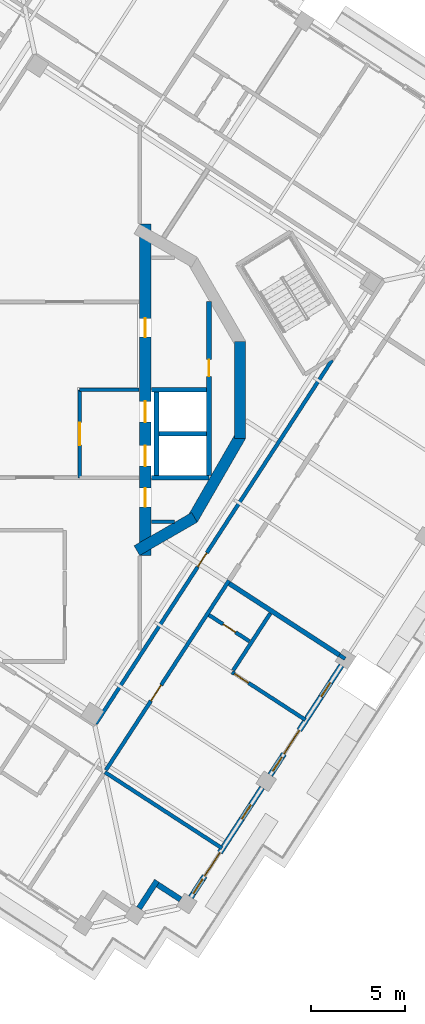
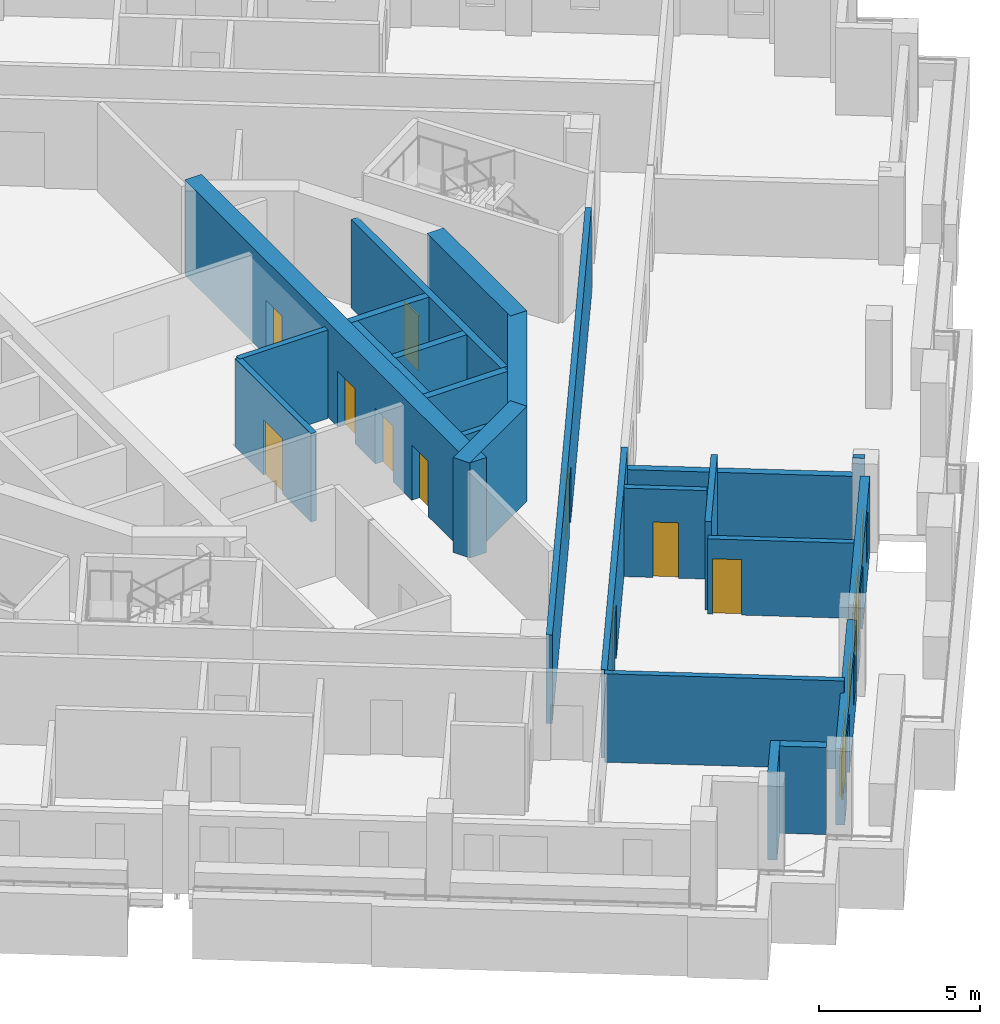
# One storey, part 6 of 15: 24 walls, 12 doors, 4 windows, 16 openings.
"""IFC4 building model written with IfcOpenShell, lengths in metres."""

from ifc_helpers import new_model, si_unit, direction, frame, frame_2d, origin, place, context, subcontext, project, spatial, rectangle, extrude, material, layer, layer_set, type_object, element, fill, save


model = new_model("IFC4")

# Units and contexts
model_context = context("Model", 3, precision=1e-05, world=origin(), true_north=direction((0.0, 1.0)))
body_context = subcontext(model_context, "Body", "Model", "MODEL_VIEW")
ifc_project = project(units=[si_unit("LENGTHUNIT", "METRE"), si_unit("AREAUNIT", "SQUARE_METRE"), si_unit("VOLUMEUNIT", "CUBIC_METRE"), si_unit("PLANEANGLEUNIT", "RADIAN"), si_unit("MASSUNIT", "GRAM", prefix="KILO")], contexts=[model_context])

# Site, building, storey
site_placement = place(None, origin())
site = spatial("IfcSite", under=ifc_project, at=site_placement, CompositionType="ELEMENT")
building_placement = place(site_placement, origin())
building = spatial("IfcBuilding", under=site, at=building_placement, Name="Cantera Rosa Tower", CompositionType="ELEMENT")
storey_placement = place(building_placement, frame((0.0, 0.0, 261.300048828125)))
storey = spatial("IfcBuildingStorey", under=building, at=storey_placement, Name="L58", CompositionType="ELEMENT", Elevation=261.300048828125)

# Wall, opening, door
ifc_material_1 = material(Name="Gypsum board partition")
ifc_layer_1 = layer(ifc_material_1, 0.199951171875)
ifc_layer_set_1 = layer_set([ifc_layer_1], Name="CORRIDOR WALL 200 H3350")
wall_type_1 = type_object("IfcWallType", Name="CORRIDOR WALL 200 H3350", PredefinedType="PARTITIONING", material=ifc_layer_set_1)
wall_1_placement = place(storey_placement, frame((1.656982421875, -17.828857421875, 0.0), z_axis=(0.0, 0.0, 1.0), x_axis=(0.544640309195, 0.838669740482, 0.0)))
wall_1 = element("IfcWall", 1, at=wall_1_placement, inside=storey, type_object=wall_type_1, Name="CORRIDOR WALL L58-064", PredefinedType="PARTITIONING", context=body_context, shape_type="SweptSolid", body=[
    extrude(rectangle(XDim=23.1552734375, YDim=0.199951171875, at=frame_2d((11.57763671875, 0.0))), origin(), (0.0, 0.0, 1.0), 3.349853515625),
])
opening_1_placement = place(wall_1_placement, frame((9.984619140625, 0.0, 0.0)))
opening_1 = element("IfcOpeningElement", 2, at=opening_1_placement, cuts=wall_1, Name="Opening L58-007", PredefinedType="OPENING", context=body_context, shape_type="SweptSolid", body=[
    extrude(rectangle(XDim=0.89990234375, YDim=2.10009765625, at=frame_2d((0.449951171875, 1.050048828125))), frame((0.0, 0.10986328125, 0.0), z_axis=(0.0, -1.0, 0.0), x_axis=(1.0, 0.0, 0.0)), (0.0, 0.0, 1.0), 0.219970703125),
])
ifc_material_2 = material(Name="Timber door leaf", Category="wood")
door_type_1 = type_object("IfcDoorType", Name="SERVICE DOOR 900x2100", OperationType="NOTDEFINED", PredefinedType="DOOR", material=ifc_material_2)
door_1_placement = place(opening_1_placement, origin())
door_1 = element("IfcDoor", 3, at=door_1_placement, inside=storey, type_object=door_type_1, Name="DOOR L58-007", OperationType="NOTDEFINED", OverallHeight=2.10009765625, OverallWidth=0.89990234375, PredefinedType="DOOR", context=body_context, shape_type="SweptSolid", body=[
    extrude(rectangle(XDim=0.89990234375, YDim=2.10009765625, at=frame_2d((0.449951171875, 1.050048828125))), frame((0.0, 0.02490234375, 0.0), z_axis=(0.0, -1.0, 0.0), x_axis=(1.0, 0.0, 0.0)), (0.0, 0.0, 1.0), 0.050048828125),
])
fill(opening_1, door_1)

wall_2_placement = place(storey_placement, frame((2.197265625, -20.302001953125, 0.0), z_axis=(0.0, 0.0, 1.0), x_axis=(0.544634094659, 0.83867377623, 0.0)))
wall_2 = element("IfcWall", 4, at=wall_2_placement, inside=storey, type_object=wall_type_1, Name="CORRIDOR WALL L58-065", PredefinedType="PARTITIONING", context=body_context, shape_type="SweptSolid", body=[
    extrude(rectangle(XDim=12.06494140625, YDim=0.199951171875, at=frame_2d((6.032470703125, 0.0))), origin(), (0.0, 0.0, 1.0), 3.349853515625),
])
opening_2_placement = place(wall_2_placement, frame((4.409912109375, 0.0, 0.0)))
opening_2 = element("IfcOpeningElement", 5, at=opening_2_placement, cuts=wall_2, Name="Opening L58-045", PredefinedType="OPENING", context=body_context, shape_type="SweptSolid", body=[
    extrude(rectangle(XDim=1.0, YDim=2.10009765625, at=frame_2d((0.5, 1.050048828125))), frame((0.0, 0.10986328125, 0.0), z_axis=(0.0, -1.0, 0.0), x_axis=(1.0, 0.0, 0.0)), (0.0, 0.0, 1.0), 0.219970703125),
])
ifc_material_3 = material(Name="Timber door leaf", Category="wood")
door_type_2 = type_object("IfcDoorType", Name="ENTRANCE DOOR 1000x2100", OperationType="NOTDEFINED", PredefinedType="DOOR", material=ifc_material_3)
door_2_placement = place(opening_2_placement, origin())
door_2 = element("IfcDoor", 6, at=door_2_placement, inside=storey, type_object=door_type_2, Name="DOOR L58-045", OperationType="NOTDEFINED", OverallHeight=2.10009765625, OverallWidth=1.0, PredefinedType="DOOR", context=body_context, shape_type="SweptSolid", body=[
    extrude(rectangle(XDim=1.0, YDim=2.10009765625, at=frame_2d((0.5, 1.050048828125))), frame((0.0, 0.02490234375, 0.0), z_axis=(0.0, -1.0, 0.0), x_axis=(1.0, 0.0, 0.0)), (0.0, 0.0, 1.0), 0.050048828125),
])
fill(opening_2, door_2)

# Walls
ifc_material_4 = material(Name="Hollow clay masonry with cantera stone cladding", Category="masonry")
ifc_layer_2 = layer(ifc_material_4, 0.300048828125)
ifc_layer_set_2 = layer_set([ifc_layer_2], Name="EW-LOGGIA 300")
wall_type_2 = type_object("IfcWallType", Name="EW-LOGGIA 300", PredefinedType="SOLIDWALL", material=ifc_layer_set_2)
wall_3_placement = place(storey_placement, frame((3.966796875, -27.67529296875, 0.0), z_axis=(0.0, 0.0, 1.0), x_axis=(0.544679362749, 0.83864437743, 0.0)))
element("IfcWall", 7, at=wall_3_placement, inside=storey, type_object=wall_type_2, Name="EN-L58-W19a", PredefinedType="SOLIDWALL", context=body_context, shape_type="SweptSolid", body=[
    extrude(rectangle(XDim=1.75, YDim=0.300048828125, at=frame_2d((0.875, 0.0))), origin(), (0.0, 0.0, 1.0), 3.300048828125),
])
wall_4_placement = place(storey_placement, frame((4.964111328125, -26.415283203125, 0.0), z_axis=(0.0, 0.0, 1.0), x_axis=(0.838724343483, -0.544556218997, 0.0)))
element("IfcWall", 8, at=wall_4_placement, inside=storey, type_object=wall_type_2, Name="EN-L58-W19b", PredefinedType="SOLIDWALL", context=body_context, shape_type="SweptSolid", body=[
    extrude(rectangle(XDim=1.449951171875, YDim=0.300048828125, at=frame_2d((0.72509765625, 0.0))), origin(), (0.0, 0.0, 1.0), 3.300048828125),
])

# Wall, openings, windows, door
ifc_material_5 = material(Name="Hollow clay masonry with cantera stone cladding", Category="masonry")
ifc_layer_3 = layer(ifc_material_5, 0.300048828125)
ifc_layer_set_3 = layer_set([ifc_layer_3], Name="EW-LOGGIA 300 H2890")
wall_type_3 = type_object("IfcWallType", Name="EW-LOGGIA 300 H2890", PredefinedType="SOLIDWALL", material=ifc_layer_set_3)
wall_5_placement = place(storey_placement, frame((6.7333984375, -27.08740234375, 0.0), z_axis=(0.0, 0.0, 1.0), x_axis=(0.544651451949, 0.838662504164, 0.0)))
wall_5 = element("IfcWall", 9, at=wall_5_placement, inside=storey, type_object=wall_type_3, Name="EN-L58-W20", PredefinedType="SOLIDWALL", context=body_context, shape_type="SweptSolid", body=[
    extrude(rectangle(XDim=6.980224609375, YDim=0.300048828125, at=frame_2d((3.490234375, 0.0))), origin(), (0.0, 0.0, 1.0), 2.889892578125),
])
opening_3_placement = place(wall_5_placement, frame((0.2451171875, 0.0, 0.89990234375)))
opening_3 = element("IfcOpeningElement", 10, at=opening_3_placement, cuts=wall_5, Name="Opening L58-W40", PredefinedType="OPENING", context=body_context, shape_type="SweptSolid", body=[
    extrude(rectangle(XDim=0.89990234375, YDim=1.5, at=frame_2d((0.449951171875, 0.75))), frame((0.0, 0.159912109375, 0.0), z_axis=(0.0, -1.0, 0.0), x_axis=(1.0, 0.0, 0.0)), (0.0, 0.0, 1.0), 0.320068359375),
])
opening_4_placement = place(wall_5_placement, frame((1.344970703125, 0.0, 0.0)))
opening_4 = element("IfcOpeningElement", 11, at=opening_4_placement, cuts=wall_5, Name="Opening L58-TD41", PredefinedType="OPENING", context=body_context, shape_type="SweptSolid", body=[
    extrude(rectangle(XDim=1.5, YDim=2.39990234375, at=frame_2d((0.75, 1.199951171875))), frame((0.0, 0.159912109375, 0.0), z_axis=(0.0, -1.0, 0.0), x_axis=(1.0, 0.0, 0.0)), (0.0, 0.0, 1.0), 0.320068359375),
])
opening_5_placement = place(wall_5_placement, frame((4.985107421875, 0.0, 0.89990234375)))
opening_5 = element("IfcOpeningElement", 12, at=opening_5_placement, cuts=wall_5, Name="Opening L58-W42", PredefinedType="OPENING", context=body_context, shape_type="SweptSolid", body=[
    extrude(rectangle(XDim=0.89990234375, YDim=1.5, at=frame_2d((0.449951171875, 0.75))), frame((0.0, 0.159912109375, 0.0), z_axis=(0.0, -1.0, 0.0), x_axis=(1.0, 0.0, 0.0)), (0.0, 0.0, 1.0), 0.320068359375),
])
ifc_material_6 = material(Name="Aluminium frame with clear glass", Category="aluminium")
window_type = type_object("IfcWindowType", Name="Residential window 900x1500", PartitioningType="SINGLE_PANEL", PredefinedType="WINDOW", material=ifc_material_6)
window_1_placement = place(opening_3_placement, origin())
window_1 = element("IfcWindow", 13, at=window_1_placement, inside=storey, type_object=window_type, Name="WINDOW L58-W40", OverallHeight=1.5, OverallWidth=0.89990234375, PartitioningType="SINGLE_PANEL", PredefinedType="WINDOW", context=body_context, shape_type="SweptSolid", body=[
    extrude(rectangle(XDim=0.89990234375, YDim=1.5, at=frame_2d((0.449951171875, 0.75))), frame((0.0, 0.030029296875, 0.0), z_axis=(0.0, -1.0, 0.0), x_axis=(1.0, 0.0, 0.0)), (0.0, 0.0, 1.0), 0.06005859375),
])
fill(opening_3, window_1)
window_2_placement = place(opening_5_placement, origin())
window_2 = element("IfcWindow", 14, at=window_2_placement, inside=storey, type_object=window_type, Name="WINDOW L58-W42", OverallHeight=1.5, OverallWidth=0.89990234375, PartitioningType="SINGLE_PANEL", PredefinedType="WINDOW", context=body_context, shape_type="SweptSolid", body=[
    extrude(rectangle(XDim=0.89990234375, YDim=1.5, at=frame_2d((0.449951171875, 0.75))), frame((0.0, 0.030029296875, 0.0), z_axis=(0.0, -1.0, 0.0), x_axis=(1.0, 0.0, 0.0)), (0.0, 0.0, 1.0), 0.06005859375),
])
fill(opening_5, window_2)
ifc_material_7 = material(Name="Aluminium frame with clear glass", Category="aluminium")
door_type_3 = type_object("IfcDoorType", Name="TD-R 1500x2400", OperationType="NOTDEFINED", PredefinedType="DOOR", material=ifc_material_7)
door_3_placement = place(opening_4_placement, origin())
door_3 = element("IfcDoor", 15, at=door_3_placement, inside=storey, type_object=door_type_3, Name="LOGGIA DOOR L58-TD41", OperationType="SLIDING_TO_LEFT", OverallHeight=2.39990234375, OverallWidth=1.5, PredefinedType="DOOR", context=body_context, shape_type="SweptSolid", body=[
    extrude(rectangle(XDim=1.5, YDim=2.39990234375, at=frame_2d((0.75, 1.199951171875))), frame((0.0, 0.02490234375, 0.0), z_axis=(0.0, -1.0, 0.0), x_axis=(1.0, 0.0, 0.0)), (0.0, 0.0, 1.0), 0.050048828125),
])
fill(opening_4, door_3)

wall_6_placement = place(storey_placement, frame((10.970703125, -20.5625, 0.0), z_axis=(0.0, 0.0, 1.0), x_axis=(0.544651451949, 0.838662504164, 0.0)))
wall_6 = element("IfcWall", 16, at=wall_6_placement, inside=storey, type_object=wall_type_3, Name="EN-L58-W21", PredefinedType="SOLIDWALL", context=body_context, shape_type="SweptSolid", body=[
    extrude(rectangle(XDim=6.980224609375, YDim=0.300048828125, at=frame_2d((3.490234375, 0.0))), origin(), (0.0, 0.0, 1.0), 2.889892578125),
])
opening_6_placement = place(wall_6_placement, frame((0.2451171875, 0.0, 0.89990234375)))
opening_6 = element("IfcOpeningElement", 17, at=opening_6_placement, cuts=wall_6, Name="Opening L58-W43", PredefinedType="OPENING", context=body_context, shape_type="SweptSolid", body=[
    extrude(rectangle(XDim=0.89990234375, YDim=1.5, at=frame_2d((0.449951171875, 0.75))), frame((0.0, 0.159912109375, 0.0), z_axis=(0.0, -1.0, 0.0), x_axis=(1.0, 0.0, 0.0)), (0.0, 0.0, 1.0), 0.320068359375),
])
opening_7_placement = place(wall_6_placement, frame((1.344970703125, 0.0, 0.0)))
opening_7 = element("IfcOpeningElement", 18, at=opening_7_placement, cuts=wall_6, Name="Opening L58-TD44", PredefinedType="OPENING", context=body_context, shape_type="SweptSolid", body=[
    extrude(rectangle(XDim=1.5, YDim=2.39990234375, at=frame_2d((0.75, 1.199951171875))), frame((0.0, 0.159912109375, 0.0), z_axis=(0.0, -1.0, 0.0), x_axis=(1.0, 0.0, 0.0)), (0.0, 0.0, 1.0), 0.320068359375),
])
opening_8_placement = place(wall_6_placement, frame((4.985107421875, 0.0, 0.89990234375)))
opening_8 = element("IfcOpeningElement", 19, at=opening_8_placement, cuts=wall_6, Name="Opening L58-W45", PredefinedType="OPENING", context=body_context, shape_type="SweptSolid", body=[
    extrude(rectangle(XDim=0.89990234375, YDim=1.5, at=frame_2d((0.449951171875, 0.75))), frame((0.0, 0.159912109375, 0.0), z_axis=(0.0, -1.0, 0.0), x_axis=(1.0, 0.0, 0.0)), (0.0, 0.0, 1.0), 0.320068359375),
])
window_3_placement = place(opening_6_placement, origin())
window_3 = element("IfcWindow", 20, at=window_3_placement, inside=storey, type_object=window_type, Name="WINDOW L58-W43", OverallHeight=1.5, OverallWidth=0.89990234375, PartitioningType="SINGLE_PANEL", PredefinedType="WINDOW", context=body_context, shape_type="SweptSolid", body=[
    extrude(rectangle(XDim=0.89990234375, YDim=1.5, at=frame_2d((0.449951171875, 0.75))), frame((0.0, 0.030029296875, 0.0), z_axis=(0.0, -1.0, 0.0), x_axis=(1.0, 0.0, 0.0)), (0.0, 0.0, 1.0), 0.06005859375),
])
fill(opening_6, window_3)
window_4_placement = place(opening_8_placement, origin())
window_4 = element("IfcWindow", 21, at=window_4_placement, inside=storey, type_object=window_type, Name="WINDOW L58-W45", OverallHeight=1.5, OverallWidth=0.89990234375, PartitioningType="SINGLE_PANEL", PredefinedType="WINDOW", context=body_context, shape_type="SweptSolid", body=[
    extrude(rectangle(XDim=0.89990234375, YDim=1.5, at=frame_2d((0.449951171875, 0.75))), frame((0.0, 0.030029296875, 0.0), z_axis=(0.0, -1.0, 0.0), x_axis=(1.0, 0.0, 0.0)), (0.0, 0.0, 1.0), 0.06005859375),
])
fill(opening_8, window_4)
door_4_placement = place(opening_7_placement, origin())
door_4 = element("IfcDoor", 22, at=door_4_placement, inside=storey, type_object=door_type_3, Name="LOGGIA DOOR L58-TD44", OperationType="SLIDING_TO_LEFT", OverallHeight=2.39990234375, OverallWidth=1.5, PredefinedType="DOOR", context=body_context, shape_type="SweptSolid", body=[
    extrude(rectangle(XDim=1.5, YDim=2.39990234375, at=frame_2d((0.75, 1.199951171875))), frame((0.0, 0.02490234375, 0.0), z_axis=(0.0, -1.0, 0.0), x_axis=(1.0, 0.0, 0.0)), (0.0, 0.0, 1.0), 0.050048828125),
])
fill(opening_7, door_4)

# Wall
ifc_material_8 = material(Name="Concrete C40/50", Category="concrete")
ifc_layer_4 = layer(ifc_material_8, 0.25)
ifc_layer_set_4 = layer_set([ifc_layer_4], Name="EW-POCKET CHEEK 250 H2670")
wall_type_4 = type_object("IfcWallType", Name="EW-POCKET CHEEK 250 H2670", PredefinedType="SOLIDWALL", material=ifc_layer_set_4)
wall_7_placement = place(storey_placement, frame((14.65478515625, -14.1552734375, 0.0), z_axis=(0.0, 0.0, 1.0), x_axis=(-0.838665071449, 0.544647498784, 0.0)))
element("IfcWall", 23, at=wall_7_placement, inside=storey, type_object=wall_type_4, Name="POCKET CHEEK A L58", PredefinedType="SOLIDWALL", context=body_context, shape_type="SweptSolid", body=[
    extrude(rectangle(XDim=7.0, YDim=0.25, at=frame_2d((3.5, 0.0))), origin(), (0.0, 0.0, 1.0), 2.669921875),
])

# Wall, opening, door
ifc_material_9 = material(Name="Gypsum board partition")
ifc_layer_5 = layer(ifc_material_9, 0.199951171875)
ifc_layer_set_5 = layer_set([ifc_layer_5], Name="PARTITION 200 H2850")
wall_type_5 = type_object("IfcWallType", Name="PARTITION 200 H2850", PredefinedType="PARTITIONING", material=ifc_layer_set_5)
wall_8_placement = place(storey_placement, frame((12.846435546875, -17.619140625, 0.0), z_axis=(0.0, 0.0, 1.0), x_axis=(-0.838681218127, 0.544622634822, 0.0)))
wall_8 = element("IfcWall", 24, at=wall_8_placement, inside=storey, type_object=wall_type_5, Name="PARTITION L58-090", PredefinedType="PARTITIONING", context=body_context, shape_type="SweptSolid", body=[
    extrude(rectangle(XDim=4.670166015625, YDim=0.199951171875, at=frame_2d((2.3349609375, 0.0))), origin(), (0.0, 0.0, 1.0), 2.849853515625),
])
opening_9_placement = place(wall_8_placement, frame((3.6201171875, 0.0, 0.0)))
opening_9 = element("IfcOpeningElement", 25, at=opening_9_placement, cuts=wall_8, Name="Opening L58-047", PredefinedType="OPENING", context=body_context, shape_type="SweptSolid", body=[
    extrude(rectangle(XDim=0.89990234375, YDim=2.10009765625, at=frame_2d((0.449951171875, 1.050048828125))), frame((0.0, 0.10986328125, 0.0), z_axis=(0.0, -1.0, 0.0), x_axis=(1.0, 0.0, 0.0)), (0.0, 0.0, 1.0), 0.219970703125),
])
ifc_material_10 = material(Name="Timber door leaf", Category="wood")
door_type_4 = type_object("IfcDoorType", Name="ROOM DOOR 900x2100", OperationType="NOTDEFINED", PredefinedType="DOOR", material=ifc_material_10)
door_5_placement = place(opening_9_placement, origin())
door_5 = element("IfcDoor", 26, at=door_5_placement, inside=storey, type_object=door_type_4, Name="DOOR L58-047", OperationType="NOTDEFINED", OverallHeight=2.10009765625, OverallWidth=0.89990234375, PredefinedType="DOOR", context=body_context, shape_type="SweptSolid", body=[
    extrude(rectangle(XDim=0.89990234375, YDim=2.10009765625, at=frame_2d((0.449951171875, 1.050048828125))), frame((0.0, 0.02490234375, 0.0), z_axis=(0.0, -1.0, 0.0), x_axis=(1.0, 0.0, 0.0)), (0.0, 0.0, 1.0), 0.050048828125),
])
fill(opening_9, door_5)

# Wall
ifc_material_11 = material(Name="Gypsum board partition")
ifc_layer_6 = layer(ifc_material_11, 0.199951171875)
ifc_layer_set_6 = layer_set([ifc_layer_6], Name="PARTITION 200 H3350")
wall_type_6 = type_object("IfcWallType", Name="PARTITION 200 H3350", PredefinedType="PARTITIONING", material=ifc_layer_set_6)
wall_9_placement = place(storey_placement, frame((5.84765625, -7.050048828125, 0.0), z_axis=(0.0, 0.0, 1.0), x_axis=(-1.0, 0.0, 0.0)))
element("IfcWall", 27, at=wall_9_placement, inside=storey, type_object=wall_type_6, Name="PARTITION L58-074", PredefinedType="PARTITIONING", context=body_context, shape_type="SweptSolid", body=[
    extrude(rectangle(XDim=1.2177734375, YDim=0.199951171875, at=frame_2d((0.60888671875, 0.0))), origin(), (0.0, 0.0, 1.0), 3.349853515625),
])

# Wall, opening, door
wall_10_placement = place(storey_placement, frame((9.858642578125, -13.42529296875, 0.0), z_axis=(0.0, 0.0, 1.0), x_axis=(-0.838657579454, 0.544659035015, 0.0)))
wall_10 = element("IfcWall", 28, at=wall_10_placement, inside=storey, type_object=wall_type_6, Name="PARTITION L58-085", PredefinedType="PARTITIONING", context=body_context, shape_type="SweptSolid", body=[
    extrude(rectangle(XDim=2.580078125, YDim=0.199951171875, at=frame_2d((1.2900390625, 0.0))), origin(), (0.0, 0.0, 1.0), 3.349853515625),
])
opening_10_placement = place(wall_10_placement, frame((0.8798828125, 0.0, 0.0)))
opening_10 = element("IfcOpeningElement", 29, at=opening_10_placement, cuts=wall_10, Name="Opening L58-046", PredefinedType="OPENING", context=body_context, shape_type="SweptSolid", body=[
    extrude(rectangle(XDim=0.800048828125, YDim=2.10009765625, at=frame_2d((0.39990234375, 1.050048828125))), frame((0.0, 0.10986328125, 0.0), z_axis=(0.0, -1.0, 0.0), x_axis=(1.0, 0.0, 0.0)), (0.0, 0.0, 1.0), 0.219970703125),
])
ifc_material_12 = material(Name="Timber door leaf", Category="wood")
door_type_5 = type_object("IfcDoorType", Name="BATHROOM DOOR 800x2100", OperationType="NOTDEFINED", PredefinedType="DOOR", material=ifc_material_12)
door_6_placement = place(opening_10_placement, origin())
door_6 = element("IfcDoor", 30, at=door_6_placement, inside=storey, type_object=door_type_5, Name="DOOR L58-046", OperationType="NOTDEFINED", OverallHeight=2.10009765625, OverallWidth=0.800048828125, PredefinedType="DOOR", context=body_context, shape_type="SweptSolid", body=[
    extrude(rectangle(XDim=0.800048828125, YDim=2.10009765625, at=frame_2d((0.39990234375, 1.050048828125))), frame((0.0, 0.02490234375, 0.0), z_axis=(0.0, -1.0, 0.0), x_axis=(1.0, 0.0, 0.0)), (0.0, 0.0, 1.0), 0.050048828125),
])
fill(opening_10, door_6)

# Walls
wall_11_placement = place(storey_placement, frame((10.97509765625, -11.926513671875, 0.0), z_axis=(0.0, 0.0, 1.0), x_axis=(-0.544679064134, -0.838644571374, 0.0)))
element("IfcWall", 31, at=wall_11_placement, inside=storey, type_object=wall_type_6, Name="PARTITION L58-086", PredefinedType="PARTITIONING", context=body_context, shape_type="SweptSolid", body=[
    extrude(rectangle(XDim=3.63525390625, YDim=0.199951171875, at=frame_2d((1.817626953125, 0.0))), origin(), (0.0, 0.0, 1.0), 3.349853515625),
])
ifc_material_13 = material(Name="Gypsum board partition")
ifc_layer_7 = layer(ifc_material_13, 0.199951171875)
ifc_layer_set_7 = layer_set([ifc_layer_7], Name="PARTY WALL 200 H3350")
wall_type_7 = type_object("IfcWallType", Name="PARTY WALL 200 H3350", PredefinedType="PARTITIONING", material=ifc_layer_set_7)
wall_12_placement = place(storey_placement, frame((8.396728515625, -24.47119140625, 0.0), z_axis=(0.0, 0.0, 1.0), x_axis=(-0.83866516607, 0.544647353083, 0.0)))
element("IfcWall", 32, at=wall_12_placement, inside=storey, type_object=wall_type_7, Name="PARTY WALL L58-080", PredefinedType="PARTITIONING", context=body_context, shape_type="SweptSolid", body=[
    extrude(rectangle(XDim=7.449951171875, YDim=0.199951171875, at=frame_2d((3.72509765625, 0.0))), origin(), (0.0, 0.0, 1.0), 3.349853515625),
])
wall_13_placement = place(storey_placement, frame((14.65478515625, -14.1552734375, 0.0), z_axis=(0.0, 0.0, 1.0), x_axis=(0.838790236691, -0.544454716971, 0.0)))
element("IfcWall", 33, at=wall_13_placement, inside=storey, type_object=wall_type_7, Name="PARTY WALL L58-082", PredefinedType="PARTITIONING", context=body_context, shape_type="SweptSolid", body=[
    extrude(rectangle(XDim=0.369873046875, YDim=0.199951171875, at=frame_2d((0.18505859375, 0.0))), origin(), (0.0, 0.0, 1.0), 3.349853515625),
])
ifc_material_14 = material(Name="Concrete C50/60", Category="concrete")
ifc_layer_8 = layer(ifc_material_14, 0.60009765625)
ifc_layer_set_8 = layer_set([ifc_layer_8], Name="RC CORE WALL 600 C50/60")
wall_type_8 = type_object("IfcWallType", Name="RC CORE WALL 600 C50/60", PredefinedType="SHEAR", material=ifc_layer_set_8)
for number, where, z_axis, x_axis, name in (
    (34, (9.359375, 2.588134765625, 0.0), (0.0, 0.0, 1.0), (0.0, -1.0, 0.0), "CW-E3 L58"),
    (35, (9.3994140625, -2.438232421875, 0.0), (0.0, 0.0, 1.0), (-0.499989188378, -0.866031645787, 0.0), "CW-E4 L58"),
):
    element("IfcWall", number, at=place(storey_placement, frame(where, z_axis=z_axis, x_axis=x_axis)), inside=storey, type_object=wall_type_8, Name=name, PredefinedType="SHEAR", context=body_context, shape_type="SweptSolid", body=[
        extrude(rectangle(XDim=5.17626953125, YDim=0.60009765625, at=frame_2d((2.588134765625, 0.0))), origin(), (0.0, 0.0, 1.0), 3.599853515625),
    ])
wall_14_placement = place(storey_placement, frame((6.921142578125, -6.811279296875, 0.0), z_axis=(0.0, 0.0, 1.0), x_axis=(-0.866039982607, -0.499974747889, 0.0)))
element("IfcWall", 36, at=wall_14_placement, inside=storey, type_object=wall_type_8, Name="CW-E5 L58", PredefinedType="SHEAR", context=body_context, shape_type="SweptSolid", body=[
    extrude(rectangle(XDim=3.546142578125, YDim=0.60009765625, at=frame_2d((1.77294921875, 0.0))), origin(), (0.0, 0.0, 1.0), 3.599853515625),
])

# Wall, openings, doors
wall_15_placement = place(storey_placement, frame((4.300048828125, -8.84423828125, 0.0), z_axis=(0.0, 0.0, 1.0), x_axis=(0.0, 1.0, 0.0)))
wall_15 = element("IfcWall", 37, at=wall_15_placement, inside=storey, type_object=wall_type_8, Name="CW-E6 L58", PredefinedType="SHEAR", context=body_context, shape_type="SweptSolid", body=[
    extrude(rectangle(XDim=17.6884765625, YDim=0.60009765625, at=frame_2d((8.84423828125, 0.0))), origin(), (0.0, 0.0, 1.0), 3.599853515625),
])
opening_11_placement = place(wall_15_placement, frame((4.76904296875, 0.0, 0.0)))
opening_11 = element("IfcOpeningElement", 38, at=opening_11_placement, cuts=wall_15, Name="Opening LD-FF1-L58", PredefinedType="OPENING", context=body_context, shape_type="SweptSolid", body=[
    extrude(rectangle(XDim=1.10009765625, YDim=2.10009765625, at=frame_2d((0.550048828125, 1.050048828125))), frame((0.0, 0.31005859375, 0.0), z_axis=(0.0, -1.0, 0.0), x_axis=(1.0, 0.0, 0.0)), (0.0, 0.0, 1.0), 0.6201171875),
])
opening_12_placement = place(wall_15_placement, frame((7.119140625, 0.0, 0.0)))
opening_12 = element("IfcOpeningElement", 39, at=opening_12_placement, cuts=wall_15, Name="Opening LD-FF2-L58", PredefinedType="OPENING", context=body_context, shape_type="SweptSolid", body=[
    extrude(rectangle(XDim=1.10009765625, YDim=2.10009765625, at=frame_2d((0.550048828125, 1.050048828125))), frame((0.0, 0.31005859375, 0.0), z_axis=(0.0, -1.0, 0.0), x_axis=(1.0, 0.0, 0.0)), (0.0, 0.0, 1.0), 0.6201171875),
])
opening_13_placement = place(wall_15_placement, frame((2.5966796875, 0.0, 0.0)))
opening_13 = element("IfcOpeningElement", 40, at=opening_13_placement, cuts=wall_15, Name="Opening SD-L58-17", PredefinedType="OPENING", context=body_context, shape_type="SweptSolid", body=[
    extrude(rectangle(XDim=1.0, YDim=2.10009765625, at=frame_2d((0.5, 1.050048828125))), frame((0.0, 0.31005859375, 0.0), z_axis=(0.0, -1.0, 0.0), x_axis=(1.0, 0.0, 0.0)), (0.0, 0.0, 1.0), 0.6201171875),
])
opening_14_placement = place(wall_15_placement, frame((11.6494140625, 0.0, 0.0)))
opening_14 = element("IfcOpeningElement", 41, at=opening_14_placement, cuts=wall_15, Name="Opening SD-L58-18", PredefinedType="OPENING", context=body_context, shape_type="SweptSolid", body=[
    extrude(rectangle(XDim=1.0, YDim=2.10009765625, at=frame_2d((0.5, 1.050048828125))), frame((0.0, 0.31005859375, 0.0), z_axis=(0.0, -1.0, 0.0), x_axis=(1.0, 0.0, 0.0)), (0.0, 0.0, 1.0), 0.6201171875),
])
ifc_material_15 = material(Name="Steel S355J2 (EN 10025-2)", Category="steel")
door_type_6 = type_object("IfcDoorType", Name="LANDING DOOR 1100x2100", OperationType="NOTDEFINED", PredefinedType="DOOR", material=ifc_material_15)
door_7_placement = place(opening_11_placement, origin())
door_7 = element("IfcDoor", 42, at=door_7_placement, inside=storey, type_object=door_type_6, Name="LANDING DOOR FF1 L58", OperationType="SLIDING_TO_LEFT", OverallHeight=2.10009765625, OverallWidth=1.10009765625, PredefinedType="DOOR", context=body_context, shape_type="SweptSolid", body=[
    extrude(rectangle(XDim=1.10009765625, YDim=2.10009765625, at=frame_2d((0.550048828125, 1.050048828125))), frame((0.0, 0.02490234375, 0.0), z_axis=(0.0, -1.0, 0.0), x_axis=(1.0, 0.0, 0.0)), (0.0, 0.0, 1.0), 0.050048828125),
])
fill(opening_11, door_7)
door_8_placement = place(opening_12_placement, origin())
door_8 = element("IfcDoor", 43, at=door_8_placement, inside=storey, type_object=door_type_6, Name="LANDING DOOR FF2 L58", OperationType="SLIDING_TO_LEFT", OverallHeight=2.10009765625, OverallWidth=1.10009765625, PredefinedType="DOOR", context=body_context, shape_type="SweptSolid", body=[
    extrude(rectangle(XDim=1.10009765625, YDim=2.10009765625, at=frame_2d((0.550048828125, 1.050048828125))), frame((0.0, 0.02490234375, 0.0), z_axis=(0.0, -1.0, 0.0), x_axis=(1.0, 0.0, 0.0)), (0.0, 0.0, 1.0), 0.050048828125),
])
fill(opening_12, door_8)
ifc_material_16 = material(Name="Timber door leaf", Category="wood")
door_type_7 = type_object("IfcDoorType", Name="SERVICE DOOR 1000x2100", OperationType="NOTDEFINED", PredefinedType="DOOR", material=ifc_material_16)
door_9_placement = place(opening_13_placement, origin())
door_9 = element("IfcDoor", 44, at=door_9_placement, inside=storey, type_object=door_type_7, Name="DOOR L58-SD17", OperationType="NOTDEFINED", OverallHeight=2.10009765625, OverallWidth=1.0, PredefinedType="DOOR", context=body_context, shape_type="SweptSolid", body=[
    extrude(rectangle(XDim=1.0, YDim=2.10009765625, at=frame_2d((0.5, 1.050048828125))), frame((0.0, 0.02490234375, 0.0), z_axis=(0.0, -1.0, 0.0), x_axis=(1.0, 0.0, 0.0)), (0.0, 0.0, 1.0), 0.050048828125),
])
fill(opening_13, door_9)
door_10_placement = place(opening_14_placement, origin())
door_10 = element("IfcDoor", 45, at=door_10_placement, inside=storey, type_object=door_type_7, Name="DOOR L58-SD18", OperationType="NOTDEFINED", OverallHeight=2.10009765625, OverallWidth=1.0, PredefinedType="DOOR", context=body_context, shape_type="SweptSolid", body=[
    extrude(rectangle(XDim=1.0, YDim=2.10009765625, at=frame_2d((0.5, 1.050048828125))), frame((0.0, 0.02490234375, 0.0), z_axis=(0.0, -1.0, 0.0), x_axis=(1.0, 0.0, 0.0)), (0.0, 0.0, 1.0), 0.050048828125),
])
fill(opening_14, door_10)

# Walls
ifc_material_17 = material(Name="Masonry blockwork", Category="masonry")
ifc_layer_9 = layer(ifc_material_17, 0.25)
ifc_layer_set_9 = layer_set([ifc_layer_9], Name="SHAFT WALL 250 H3350")
wall_type_9 = type_object("IfcWallType", Name="SHAFT WALL 250 H3350", PredefinedType="SOLIDWALL", material=ifc_layer_set_9)
wall_16_placement = place(storey_placement, frame((4.6298828125, 0.0, 0.0), z_axis=(0.0, 0.0, 1.0), x_axis=(1.0, 0.0, 0.0)))
element("IfcWall", 46, at=wall_16_placement, inside=storey, type_object=wall_type_9, Name="SHAFT WALL L58-070", PredefinedType="SOLIDWALL", context=body_context, shape_type="SweptSolid", body=[
    extrude(rectangle(XDim=2.945068359375, YDim=0.25, at=frame_2d((1.47265625, 0.0))), origin(), (0.0, 0.0, 1.0), 3.349853515625),
])
wall_17_placement = place(storey_placement, frame((4.89990234375, -0.125, 0.0), z_axis=(0.0, 0.0, 1.0), x_axis=(0.0, -1.0, 0.0)))
element("IfcWall", 47, at=wall_17_placement, inside=storey, type_object=wall_type_9, Name="SHAFT WALL L58-072", PredefinedType="SOLIDWALL", context=body_context, shape_type="SweptSolid", body=[
    extrude(rectangle(XDim=4.449951171875, YDim=0.25, at=frame_2d((2.22509765625, 0.0))), origin(), (0.0, 0.0, 1.0), 3.349853515625),
])
wall_18_placement = place(storey_placement, frame((7.699951171875, -4.699951171875, 0.0), z_axis=(0.0, 0.0, 1.0), x_axis=(-1.0, 0.0, 0.0)))
element("IfcWall", 48, at=wall_18_placement, inside=storey, type_object=wall_type_9, Name="SHAFT WALL L58-076", PredefinedType="SOLIDWALL", context=body_context, shape_type="SweptSolid", body=[
    extrude(rectangle(XDim=3.070068359375, YDim=0.25, at=frame_2d((1.53515625, 0.0))), origin(), (0.0, 0.0, 1.0), 3.349853515625),
])

# Wall, opening, door
wall_19_placement = place(storey_placement, frame((7.699951171875, -4.580078125, 0.0), z_axis=(0.0, 0.0, 1.0), x_axis=(0.0, 1.0, 0.0)))
wall_19 = element("IfcWall", 49, at=wall_19_placement, inside=storey, type_object=wall_type_9, Name="SHAFT WALL L58-077", PredefinedType="SOLIDWALL", context=body_context, shape_type="SweptSolid", body=[
    extrude(rectangle(XDim=9.3017578125, YDim=0.25, at=frame_2d((4.65087890625, 0.0))), origin(), (0.0, 0.0, 1.0), 3.349853515625),
])
opening_15_placement = place(wall_19_placement, frame((5.2900390625, 0.0, 0.0)))
opening_15 = element("IfcOpeningElement", 50, at=opening_15_placement, cuts=wall_19, Name="Opening L58-051", PredefinedType="OPENING", context=body_context, shape_type="SweptSolid", body=[
    extrude(rectangle(XDim=0.89990234375, YDim=2.10009765625, at=frame_2d((0.449951171875, 1.050048828125))), frame((0.0, 0.135009765625, 0.0), z_axis=(0.0, -1.0, 0.0), x_axis=(1.0, 0.0, 0.0)), (0.0, 0.0, 1.0), 0.27001953125),
])
door_11_placement = place(opening_15_placement, origin())
door_11 = element("IfcDoor", 51, at=door_11_placement, inside=storey, type_object=door_type_1, Name="RISER DOOR L58-051", OperationType="NOTDEFINED", OverallHeight=2.10009765625, OverallWidth=0.89990234375, PredefinedType="DOOR", context=body_context, shape_type="SweptSolid", body=[
    extrude(rectangle(XDim=0.89990234375, YDim=2.10009765625, at=frame_2d((0.449951171875, 1.050048828125))), frame((0.0, 0.02490234375, 0.0), z_axis=(0.0, -1.0, 0.0), x_axis=(1.0, 0.0, 0.0)), (0.0, 0.0, 1.0), 0.050048828125),
])
fill(opening_15, door_11)

# Wall
wall_20_placement = place(storey_placement, frame((7.574951171875, -2.35009765625, 0.0), z_axis=(0.0, 0.0, 1.0), x_axis=(-1.0, 0.0, 0.0)))
element("IfcWall", 52, at=wall_20_placement, inside=storey, type_object=wall_type_9, Name="SHAFT WALL L58-078", PredefinedType="SOLIDWALL", context=body_context, shape_type="SweptSolid", body=[
    extrude(rectangle(XDim=2.554931640625, YDim=0.25, at=frame_2d((1.27734375, 0.0))), origin(), (0.0, 0.0, 1.0), 3.349853515625),
])

# Wall, opening, door
ifc_material_18 = material(Name="Concrete C50/60", Category="concrete")
ifc_layer_10 = layer(ifc_material_18, 0.199951171875)
ifc_layer_set_10 = layer_set([ifc_layer_10], Name="STAIR WALL 200 H3350")
wall_type_10 = type_object("IfcWallType", Name="STAIR WALL 200 H3350", PredefinedType="SOLIDWALL", material=ifc_layer_set_10)
wall_21_placement = place(storey_placement, frame((0.800048828125, -4.699951171875, 0.0), z_axis=(0.0, 0.0, 1.0), x_axis=(0.0, 1.0, 0.0)))
wall_21 = element("IfcWall", 53, at=wall_21_placement, inside=storey, type_object=wall_type_10, Name="STAIR WALL L58-062", PredefinedType="SOLIDWALL", context=body_context, shape_type="SweptSolid", body=[
    extrude(rectangle(XDim=4.699951171875, YDim=0.199951171875, at=frame_2d((2.35009765625, 0.0))), origin(), (0.0, 0.0, 1.0), 3.349853515625),
])
opening_16_placement = place(wall_21_placement, frame((1.75, 0.0, 0.0)))
opening_16 = element("IfcOpeningElement", 54, at=opening_16_placement, cuts=wall_21, Name="Opening L58-012", PredefinedType="OPENING", context=body_context, shape_type="SweptSolid", body=[
    extrude(rectangle(XDim=1.199951171875, YDim=2.10009765625, at=frame_2d((0.60009765625, 1.050048828125))), frame((0.0, 0.10986328125, 0.0), z_axis=(0.0, -1.0, 0.0), x_axis=(1.0, 0.0, 0.0)), (0.0, 0.0, 1.0), 0.219970703125),
])
ifc_material_19 = material(Name="Steel S355J2 (EN 10025-2)", Category="steel")
door_type_8 = type_object("IfcDoorType", Name="FIRE DOOR 1200x2100", OperationType="NOTDEFINED", PredefinedType="DOOR", material=ifc_material_19)
door_12_placement = place(opening_16_placement, origin())
door_12 = element("IfcDoor", 55, at=door_12_placement, inside=storey, type_object=door_type_8, Name="DOOR L58-012", OperationType="NOTDEFINED", OverallHeight=2.10009765625, OverallWidth=1.199951171875, PredefinedType="DOOR", context=body_context, shape_type="SweptSolid", body=[
    extrude(rectangle(XDim=1.199951171875, YDim=2.10009765625, at=frame_2d((0.60009765625, 1.050048828125))), frame((0.0, 0.02490234375, 0.0), z_axis=(0.0, -1.0, 0.0), x_axis=(1.0, 0.0, 0.0)), (0.0, 0.0, 1.0), 0.050048828125),
])
fill(opening_16, door_12)

# Wall
wall_22_placement = place(storey_placement, frame((0.800048828125, 0.0, 0.0), z_axis=(0.0, 0.0, 1.0), x_axis=(1.0, 0.0, 0.0)))
element("IfcWall", 56, at=wall_22_placement, inside=storey, type_object=wall_type_10, Name="STAIR WALL L58-063", PredefinedType="SOLIDWALL", context=body_context, shape_type="SweptSolid", body=[
    extrude(rectangle(XDim=3.169921875, YDim=0.199951171875, at=frame_2d((1.5849609375, 0.0))), origin(), (0.0, 0.0, 1.0), 3.349853515625),
])

save(model, "model.ifc")
